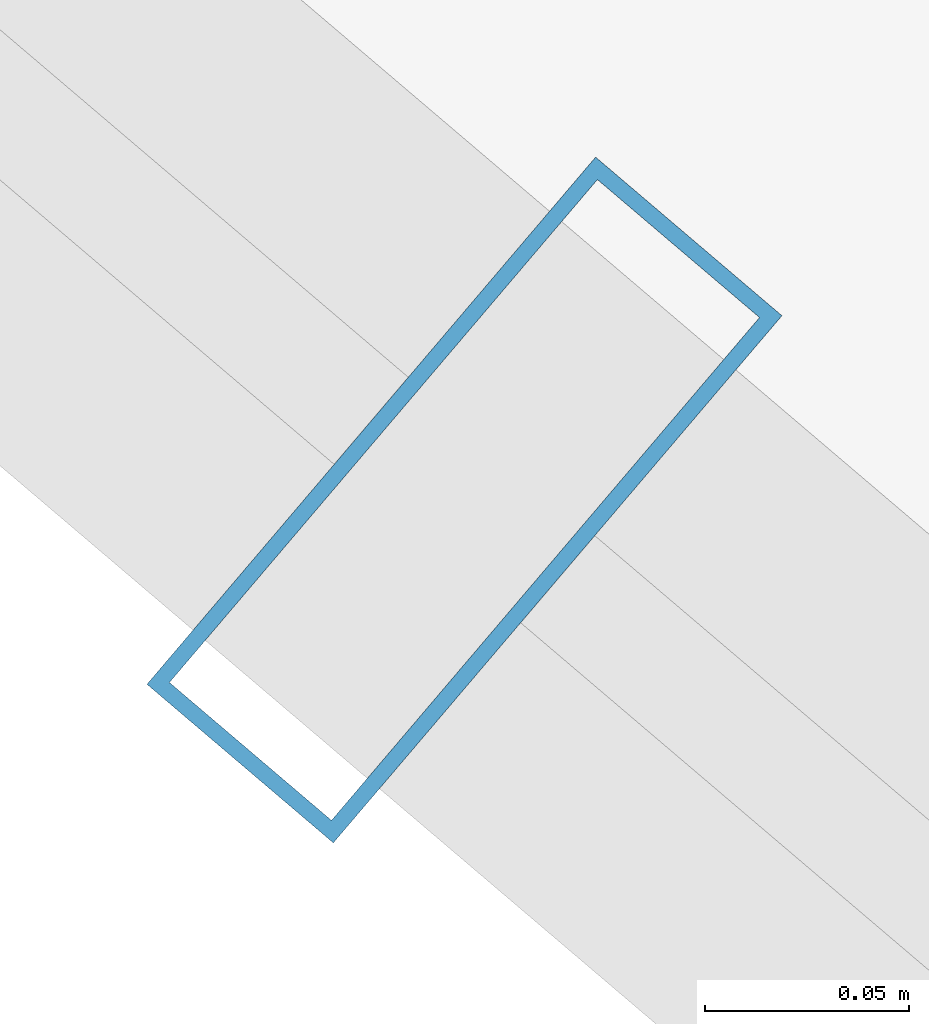
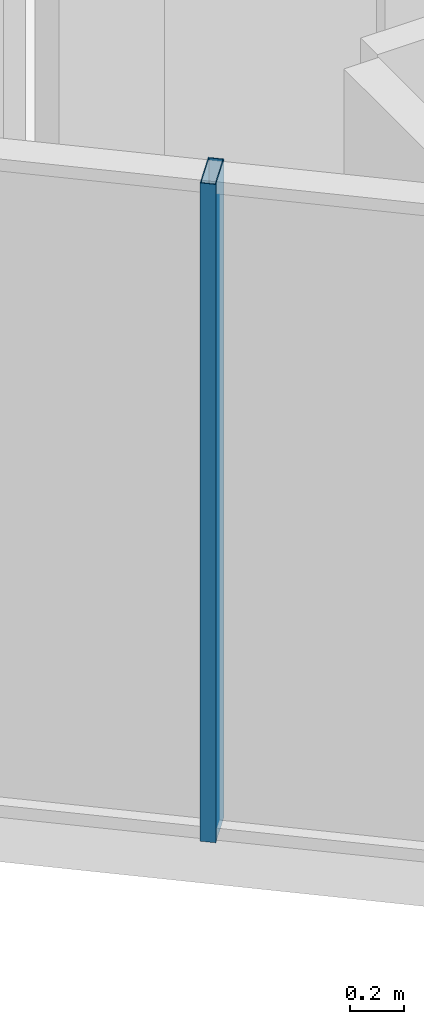
# One storey, part 2 of 33: 1 member, 1 element without a shape of its own.
"""IFC4 building model written with IfcOpenShell, lengths in metres."""

from ifc_helpers import new_model, si_unit, direction, frame, origin, origin_2d, place, context, subcontext, project, spatial, hollow_rectangle, extrude, source, transform, mapped, material, layer, layer_set, material_profile, profile_set, type_object, element, aggregate, save


model = new_model("IFC4")

# Units and contexts
model_context = context("Model", 3, precision=1e-05, world=origin(), true_north=direction((0.0, 1.0)))
body_context = subcontext(model_context, "Body", "Model", "MODEL_VIEW")
ifc_project = project(units=[si_unit("LENGTHUNIT", "METRE"), si_unit("AREAUNIT", "SQUARE_METRE"), si_unit("VOLUMEUNIT", "CUBIC_METRE"), si_unit("PLANEANGLEUNIT", "RADIAN"), si_unit("MASSUNIT", "GRAM", prefix="KILO")], contexts=[model_context])

# Site, building, storey
site_placement = place(None, origin())
site = spatial("IfcSite", under=ifc_project, at=site_placement, CompositionType="ELEMENT")
building_placement = place(site_placement, origin())
building = spatial("IfcBuilding", under=site, at=building_placement, Name="Veraguas Prism Commons", CompositionType="ELEMENT")
storey_placement = place(building_placement, frame((0.0, 0.0, 92.699951171875)))
storey = spatial("IfcBuildingStorey", under=building, at=storey_placement, Name="L25", CompositionType="ELEMENT", Elevation=92.699951171875)

# Curtain wall, member
ifc_material = material(Name="Anodised aluminium EN AW-6063 T6", Category="aluminium")
ifc_layer = layer(ifc_material, 0.169921875, Name="Unitised Flush Curtain Wall Zone 2", Category="aluminium")
ifc_layer_set = layer_set([ifc_layer], Name="Anodised aluminium EN AW-6063 T6")
curtain_wall_type = type_object("IfcCurtainWallType", Name="Unitised Flush Curtain Wall Zone 2", PredefinedType="NOTDEFINED", material=ifc_layer_set)
curtain_wall_placement = place(storey_placement, origin())
curtain_wall = element("IfcCurtainWall", 1, at=curtain_wall_placement, inside=storey, type_object=curtain_wall_type, Name="Tower Facade Curtain Wall L25-F4", PredefinedType="NOTDEFINED")
ifc_material_profile = material_profile(ifc_material, hollow_rectangle(XDim=0.06005859375, YDim=0.169921875, WallThickness=0.00390625, at=origin_2d()), Name="AL60X170X4")
ifc_profile_set = profile_set([ifc_material_profile], Name="Anodised aluminium EN AW-6063 T6")
member_type = type_object("IfcMemberType", Name="Curtain Wall Mullion Lower AL 60x170x4", PredefinedType="MULLION", material=ifc_profile_set)
shared_shape = source(origin(), body_context, "Body", "SweptSolid", [
    extrude(hollow_rectangle(XDim=0.06005859375, YDim=0.169921875, WallThickness=0.00390625, at=origin_2d()), origin(), (0.0, 0.0, 1.0), 3.0),
])
member_placement = place(storey_placement, frame((11.5673828125, 9.391845703125, 0.0), z_axis=(0.0, 0.0, 1.0), x_axis=(0.761540569897, -0.648117242789, 0.0)))
member = element("IfcMember", 2, at=member_placement, type_object=member_type, Name="CW-Z2 Mullion 3", PredefinedType="MULLION", context=body_context, shape_type="MappedRepresentation", body=[
    mapped(shared_shape, transform((0.0, 0.0, 0.0), scale=1.0)),
])
aggregate(curtain_wall, [member])

save(model, "model.ifc")
